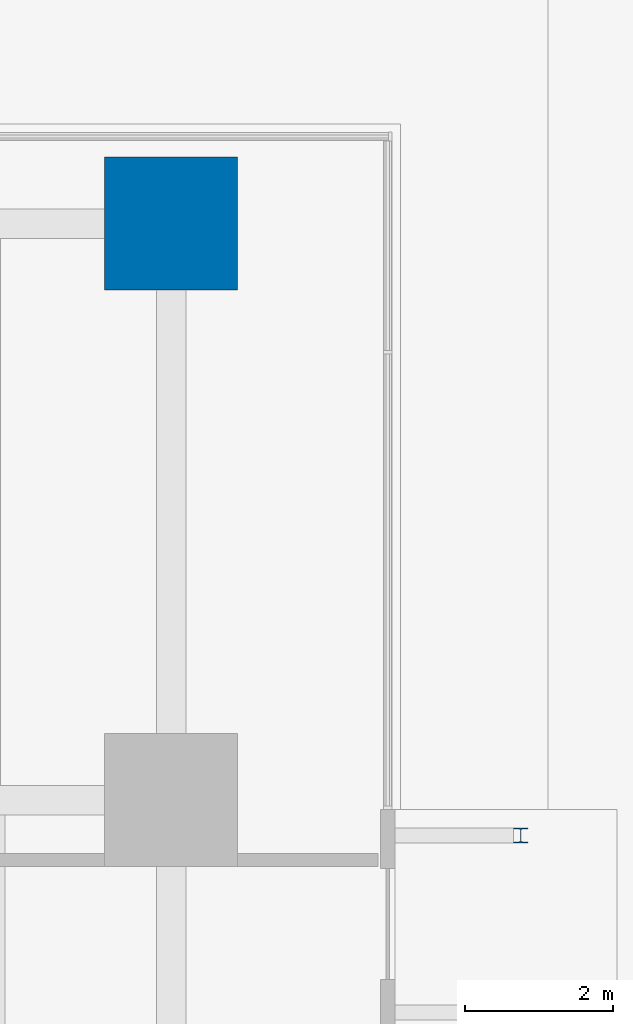
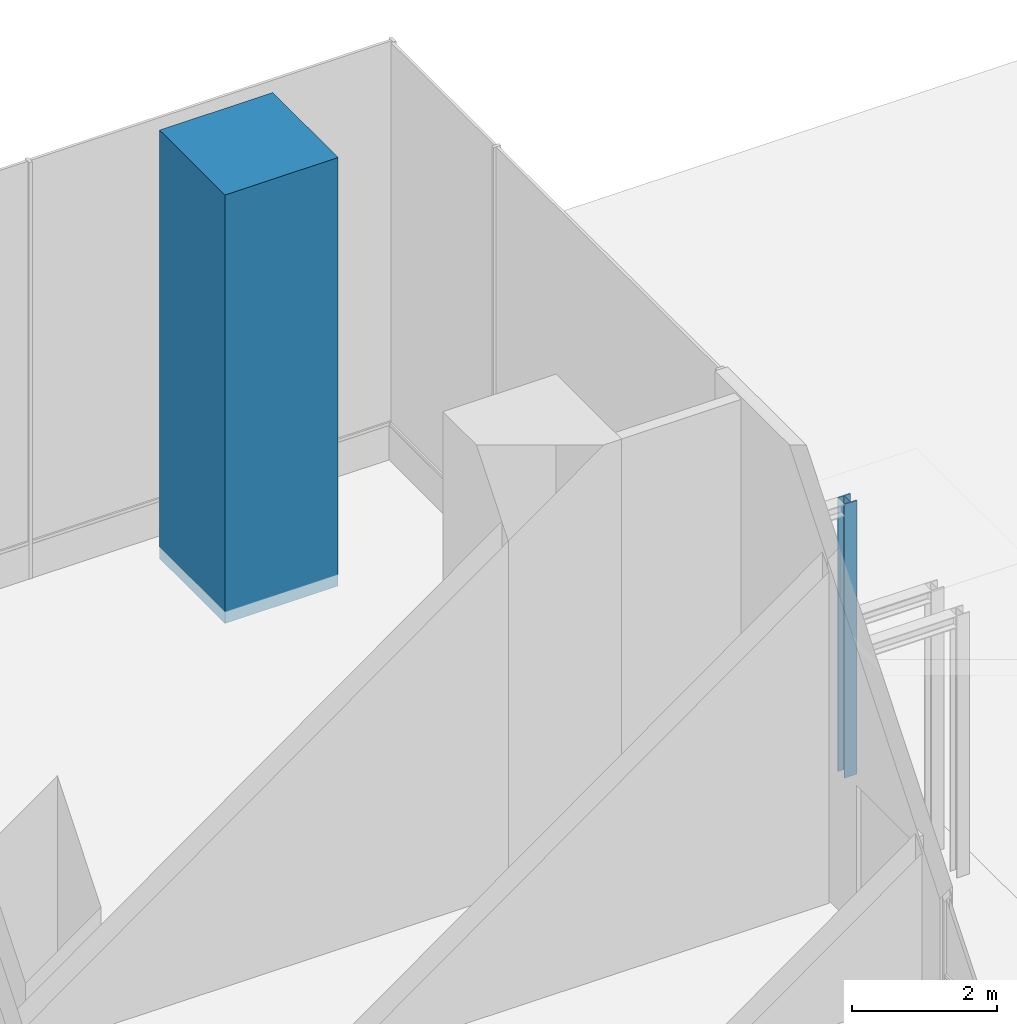
# One storey, part 10 of 41: 2 columns.
"""IFC4 building model written with IfcOpenShell, lengths in metres."""

import ifcopenshell
import ifcopenshell.guid

model = None  # the IFC model being written
_history = None  # IfcOwnerHistory: only IFC2X3 demands one
_inside = {}  # id of a spatial element -> (the spatial element, [elements in it])
_under = {}  # id of a project, library or spatial element -> (it, [spatial elements below it])
_declared = {}  # id of a project -> (the project, [libraries it declares])
_typed = {}  # id of a type object -> (the type object, [elements of that type])
_made_of = {}  # id of a material, layer set ... -> (it, [elements and type objects made of it])


def new_model(schema):
    """Start an empty IFC model of exactly this schema.

    Asked for "IFC4X3", IfcOpenShell would pick the latest addendum, in which some entities
    have other attributes; the version numbers below select the first issue.
    IFC2X3 requires an IfcOwnerHistory on every rooted entity: one is made here for all.
    """
    global model, _history
    if schema == "IFC4X3":
        model = ifcopenshell.file(schema_version=(4, 3, 0, 0))
    else:
        model = ifcopenshell.file(schema=schema)
    _inside.clear()
    _under.clear()
    _declared.clear()
    _typed.clear()
    _made_of.clear()
    _history = None
    if model.schema == "IFC2X3":
        org = make("IfcOrganization", Name="unknown")
        user = make(
            "IfcPersonAndOrganization",
            ThePerson=make("IfcPerson", FamilyName="unknown"),
            TheOrganization=org,
        )
        app = make(
            "IfcApplication",
            ApplicationDeveloper=org,
            Version="unknown",
            ApplicationFullName="unknown",
            ApplicationIdentifier="unknown",
        )
        _history = make(
            "IfcOwnerHistory",
            OwningUser=user,
            OwningApplication=app,
            ChangeAction="ADDED",
            CreationDate=0,
        )
    return model


def make(cls, **values):
    """One entity of the class cls with the attributes given. An attribute that is None is left unset."""
    return model.create_entity(
        cls, **{name: value for name, value in values.items() if value is not None}
    )


def rooted(cls, **values):
    """An entity with a GlobalId (a new one), such as an element, a storey or a relation."""
    return make(cls, GlobalId=ifcopenshell.guid.new(), OwnerHistory=_history, **values)


def si_unit(unit_type, name, prefix=None):
    """IfcSIUnit, for example si_unit("LENGTHUNIT", "METRE", prefix="MILLI")."""
    return make("IfcSIUnit", UnitType=unit_type, Prefix=prefix, Name=name)


def assignment(units):
    """IfcUnitAssignment: the units of a project."""
    return None if units is None else make("IfcUnitAssignment", Units=units)


def point(xyz):
    """IfcCartesianPoint."""
    return None if xyz is None else make("IfcCartesianPoint", Coordinates=xyz)


def direction(xyz):
    """IfcDirection."""
    return None if xyz is None else make("IfcDirection", DirectionRatios=xyz)


def frame(location, z_axis=None, x_axis=None):
    """IfcAxis2Placement3D, a coordinate frame: its origin and axes. An axis left out is left unset."""
    return make(
        "IfcAxis2Placement3D",
        Location=point(location),
        Axis=direction(z_axis),
        RefDirection=direction(x_axis),
    )


def frame_2d(location, x_axis=None):
    """IfcAxis2Placement2D, a coordinate frame in the plane: its origin and x axis."""
    return make(
        "IfcAxis2Placement2D", Location=point(location), RefDirection=direction(x_axis)
    )


def origin():
    """The frame at (0, 0, 0) with its axes left unset."""
    return frame((0.0, 0.0, 0.0))


def origin_2d():
    """The frame at (0, 0) in the plane with its x axis left unset."""
    return frame_2d((0.0, 0.0))


def place(relative_to, where):
    """IfcLocalPlacement: puts the frame where relative to a parent placement (None: the world)."""
    return make(
        "IfcLocalPlacement", PlacementRelTo=relative_to, RelativePlacement=where
    )


def context(
    kind, dimensions, precision=None, world=None, true_north=None, identifier=None
):
    """IfcGeometricRepresentationContext, for example the 3D "Model" context."""
    return make(
        "IfcGeometricRepresentationContext",
        ContextIdentifier=identifier,
        ContextType=kind,
        CoordinateSpaceDimension=dimensions,
        Precision=precision,
        WorldCoordinateSystem=world,
        TrueNorth=true_north,
    )


def subcontext(parent, identifier, kind, view, scale=None):
    """IfcGeometricRepresentationSubContext, for example "Body" below "Model"."""
    return make(
        "IfcGeometricRepresentationSubContext",
        ContextIdentifier=identifier,
        ContextType=kind,
        ParentContext=parent,
        TargetScale=scale,
        TargetView=view,
    )


def project(units=None, contexts=None):
    """IfcProject with its units and contexts."""
    return rooted(
        "IfcProject",
        Name="project",
        RepresentationContexts=contexts,
        UnitsInContext=assignment(units),
    )


def spatial(cls, under=None, at=None, **own):
    """A site, building, storey or space (cls), placed at a placement, below another one or the project."""
    s = rooted(cls, ObjectPlacement=at, **own)
    if under is not None:
        _under.setdefault(under.id(), (under, []))[1].append(s)
    return s


def profile(cls, at=None, kind="AREA", **sizes):
    """A parametric profile (cls). Its sizes go by their IFC names, for example OverallWidth=200.0."""
    return make(cls, ProfileType=kind, Position=at, **sizes)


def rectangle(**sizes):
    """IfcRectangleProfileDef."""
    return profile("IfcRectangleProfileDef", **sizes)


def i_section(**sizes):
    """IfcIShapeProfileDef."""
    return profile("IfcIShapeProfileDef", **sizes)


def extrude(swept, where, along, depth):
    """IfcExtrudedAreaSolid: the profile swept, set in the frame where, extruded along a direction by depth."""
    return make(
        "IfcExtrudedAreaSolid",
        SweptArea=swept,
        Position=where,
        ExtrudedDirection=direction(along),
        Depth=depth,
    )


def shape(context_of_items, identifier, shape_type, items):
    """IfcShapeRepresentation: the items that make up one representation, for example the "Body"."""
    return make(
        "IfcShapeRepresentation",
        ContextOfItems=context_of_items,
        RepresentationIdentifier=identifier,
        RepresentationType=shape_type,
        Items=items,
    )


def material(Name=None, Category=None):
    """IfcMaterial."""
    return make("IfcMaterial", Name=Name, Category=Category)


def material_profile(
    of_material, cross_section, Name=None, Category=None, Priority=None
):
    """IfcMaterialProfile: a cross section and its material."""
    return make(
        "IfcMaterialProfile",
        Name=Name,
        Material=of_material,
        Profile=cross_section,
        Priority=Priority,
        Category=Category,
    )


def profile_set(profiles, Name=None, composite=None):
    """IfcMaterialProfileSet."""
    return make(
        "IfcMaterialProfileSet",
        Name=Name,
        MaterialProfiles=profiles,
        CompositeProfile=composite,
    )


def made_of(thing, what):
    """Note that an element or type object is made of a material, layer set ...; save() writes the relation."""
    if what is not None:
        _made_of.setdefault(what.id(), (what, []))[1].append(thing)
    return thing


def type_object(cls, material=None, **own):
    """A type object (cls), such as IfcWallType, which elements share."""
    return made_of(rooted(cls, **own), material)


def element(
    cls,
    number,
    at=None,
    inside=None,
    cuts=None,
    type_object=None,
    material=None,
    context=None,
    identifier="Body",
    shape_type=None,
    held_by="IfcProductDefinitionShape",
    body=None,
    shapes=None,
    **own,
):
    """One element of the class cls, such as IfcWall. Its Tag is "e" and its number.

    at: its placement. inside: the storey or other place that contains it. cuts: it is an
    opening in that element (IfcRelVoidsElement). A single representation is given by context,
    identifier, shape_type and body (its items); several are given by shapes. held_by: the class
    of the entity that holds the representations. save() writes the other relations.
    """
    e = rooted(cls, Tag="e%d" % number, ObjectPlacement=at, **own)
    if body is not None:
        shapes = [shape(context, identifier, shape_type, body)]
    if shapes is not None:
        e.Representation = make(held_by, Representations=shapes)
    if inside is not None:
        _inside.setdefault(inside.id(), (inside, []))[1].append(e)
    if cuts is not None:
        rooted(
            "IfcRelVoidsElement", RelatingBuildingElement=cuts, RelatedOpeningElement=e
        )
    if type_object is not None:
        _typed.setdefault(type_object.id(), (type_object, []))[1].append(e)
    return made_of(e, material)


def aggregate(whole, parts):
    """IfcRelAggregates: a whole, such as a stair, and the parts it consists of."""
    return rooted("IfcRelAggregates", RelatingObject=whole, RelatedObjects=parts)


def save(model, path):
    """Write the relations noted so far, then the file.

    IfcRelAggregates (storeys below a building ...), IfcRelContainedInSpatialStructure (elements
    in a storey), IfcRelDefinesByType, IfcRelAssociatesMaterial and IfcRelDeclares: one each for
    every whole, place, type object, material and project.
    """
    for whole, parts in _under.values():
        aggregate(whole, parts)
    for where, things in _inside.values():
        rooted(
            "IfcRelContainedInSpatialStructure",
            RelatedElements=things,
            RelatingStructure=where,
        )
    for kind, things in _typed.values():
        rooted("IfcRelDefinesByType", RelatedObjects=things, RelatingType=kind)
    for what, things in _made_of.values():
        rooted("IfcRelAssociatesMaterial", RelatedObjects=things, RelatingMaterial=what)
    for by, libraries in _declared.values():
        rooted("IfcRelDeclares", RelatingContext=by, RelatedDefinitions=libraries)
    model.write(path)


model = new_model("IFC4")

# Units and contexts
model_context = context("Model", 3, precision=1e-05, world=origin(), true_north=direction((0.0, 1.0)))
body_context = subcontext(model_context, "Body", "Model", "MODEL_VIEW")
ifc_project = project(units=[si_unit("LENGTHUNIT", "METRE"), si_unit("AREAUNIT", "SQUARE_METRE"), si_unit("VOLUMEUNIT", "CUBIC_METRE"), si_unit("PLANEANGLEUNIT", "RADIAN"), si_unit("MASSUNIT", "GRAM", prefix="KILO")], contexts=[model_context])

# Site, building, storey
site_placement = place(None, origin())
site = spatial("IfcSite", under=ifc_project, at=site_placement, CompositionType="ELEMENT")
building_placement = place(site_placement, origin())
building = spatial("IfcBuilding", under=site, at=building_placement, Name="Rattan Terrace Tower", CompositionType="ELEMENT")
storey_placement = place(building_placement, origin())
storey = spatial("IfcBuildingStorey", under=building, at=storey_placement, Name="L00", CompositionType="ELEMENT", Elevation=0.0)

# Columns
ifc_material_1 = material(Name="Structural steel S355", Category="steel")
ifc_material_profile_1 = material_profile(ifc_material_1, i_section(OverallWidth=0.199951171875, OverallDepth=0.199951171875, WebThickness=0.009033203125, FlangeThickness=0.014892578125, FilletRadius=0.01806640625, at=origin_2d()), Name="HE 200 B")
ifc_profile_set_1 = profile_set([ifc_material_profile_1], Name="Structural steel S355")
column_type_1 = type_object("IfcColumnType", Name="Canopy post HE 200 B", PredefinedType="COLUMN", material=ifc_profile_set_1)
column_1_placement = place(storey_placement, frame((38.6298828125, 2.6220703125, -0.199951171875), z_axis=(0.0, 0.0, 1.0), x_axis=(1.0, 0.0, 0.0)))
element("IfcColumn", 1, at=column_1_placement, inside=storey, type_object=column_type_1, Name="Canopy post 016b", PredefinedType="COLUMN", context=body_context, shape_type="SweptSolid", body=[
    extrude(i_section(OverallWidth=0.199951171875, OverallDepth=0.199951171875, WebThickness=0.009033203125, FlangeThickness=0.014892578125, FilletRadius=0.01806640625, at=origin_2d()), origin(), (0.0, 0.0, 1.0), 4.599853515625),
])
ifc_material_2 = material(Name="Concrete C60/75", Category="concrete")
ifc_material_profile_2 = material_profile(ifc_material_2, rectangle(XDim=1.800048828125, YDim=1.800048828125, at=origin_2d()), Name="CFT 1800x1800")
ifc_profile_set_2 = profile_set([ifc_material_profile_2], Name="Concrete C60/75")
column_type_2 = type_object("IfcColumnType", Name="Frame exoskeleton column CFT 1800x1800", PredefinedType="COLUMN", material=ifc_profile_set_2)
column_2_placement = place(storey_placement, frame((33.89990234375, 10.89990234375, -0.199951171875), z_axis=(0.0, 0.0, 1.0), x_axis=(1.0, 0.0, 0.0)))
element("IfcColumn", 2, at=column_2_placement, inside=storey, type_object=column_type_2, Name="exo-L00-004", PredefinedType="COLUMN", context=body_context, shape_type="SweptSolid", body=[
    extrude(rectangle(XDim=1.800048828125, YDim=1.800048828125, at=origin_2d()), origin(), (0.0, 0.0, 1.0), 7.199951171875),
])

save(model, "model.ifc")
